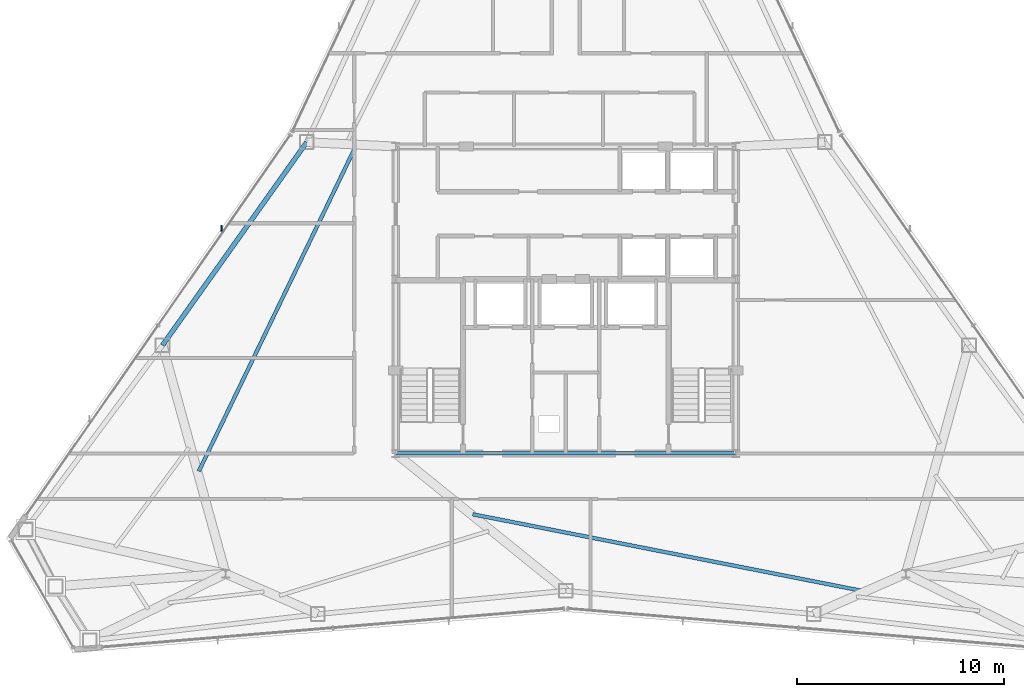
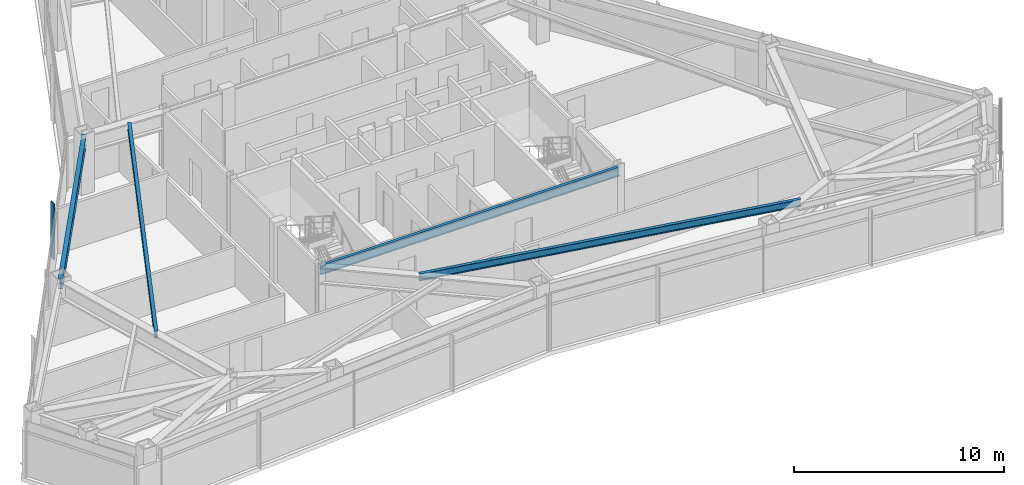
# One storey, part 4 of 12: 4 beams, 1 member, 1 element without a shape of its own.
"""IFC4 building model written with IfcOpenShell, lengths in metres."""

from ifc_helpers import new_model, si_unit, direction, frame, origin, origin_2d, place, context, subcontext, project, spatial, rectangle, i_section, extrude, source, transform, mapped, material, layer, layer_set, material_profile, profile_set, type_object, type_shapes, element, aggregate, save


model = new_model("IFC4")

# Units and contexts
model_context = context("Model", 3, precision=1e-05, world=origin(), true_north=direction((0.0, 1.0)))
body_context = subcontext(model_context, "Body", "Model", "MODEL_VIEW")
ifc_project = project(units=[si_unit("LENGTHUNIT", "METRE"), si_unit("AREAUNIT", "SQUARE_METRE"), si_unit("VOLUMEUNIT", "CUBIC_METRE"), si_unit("PLANEANGLEUNIT", "RADIAN"), si_unit("MASSUNIT", "GRAM", prefix="KILO")], contexts=[model_context])

# Site, building, storey
site_placement = place(None, origin())
site = spatial("IfcSite", under=ifc_project, at=site_placement, CompositionType="ELEMENT")
building_placement = place(site_placement, origin())
building = spatial("IfcBuilding", under=site, at=building_placement, Name="Varakhsha Concourse Tower", CompositionType="ELEMENT")
storey_placement = place(building_placement, frame((0.0, 0.0, 232.89990234375)))
storey = spatial("IfcBuildingStorey", under=building, at=storey_placement, Name="L66", CompositionType="ELEMENT", Elevation=232.89990234375)

# Beams
ifc_material_1 = material(Name="Structural Steel ASTM A992 Grade 50", Category="steel")
ifc_material_profile_1 = material_profile(ifc_material_1, i_section(OverallWidth=0.177978515625, OverallDepth=0.406982421875, WebThickness=0.008056640625, FlangeThickness=0.012939453125, at=origin_2d()), Name="W16X40")
ifc_profile_set_1 = profile_set([ifc_material_profile_1], Name="Structural Steel ASTM A992 Grade 50")
beam_type_1 = type_object("IfcBeamType", Name="BM-JST-W16X40", PredefinedType="JOIST", material=ifc_profile_set_1)
beam_1_placement = place(storey_placement, frame((29.864501953125, 31.19384765625, 3.046630859375), z_axis=(-0.434908583174, -0.90047461057, 0.0), x_axis=(0.90047461057, -0.434908583174, 0.0)))
element("IfcBeam", 1, at=beam_1_placement, inside=storey, type_object=beam_type_1, Name="BM-TJST-L66-05", PredefinedType="JOIST", context=body_context, shape_type="SweptSolid", body=[
    extrude(i_section(OverallWidth=0.177978515625, OverallDepth=0.406982421875, WebThickness=0.008056640625, FlangeThickness=0.012939453125, at=origin_2d()), origin(), (0.0, 0.0, 1.0), 17.37646484375),
])
beam_2_placement = place(storey_placement, frame((35.515869140625, 13.465087890625, 3.046630859375), z_axis=(0.981202714164, -0.192979879045, 0.0), x_axis=(0.192979879045, 0.981202714164, 0.0)))
element("IfcBeam", 2, at=beam_2_placement, inside=storey, type_object=beam_type_1, Name="BM-TJST-L66-11", PredefinedType="JOIST", context=body_context, shape_type="SweptSolid", body=[
    extrude(i_section(OverallWidth=0.177978515625, OverallDepth=0.406982421875, WebThickness=0.008056640625, FlangeThickness=0.012939453125, at=origin_2d()), origin(), (0.0, 0.0, 1.0), 19.182861328125),
])
ifc_material_profile_2 = material_profile(ifc_material_1, i_section(OverallWidth=0.1669921875, OverallDepth=0.534912109375, WebThickness=0.010009765625, FlangeThickness=0.01708984375, at=origin_2d()), Name="W21X57")
ifc_profile_set_2 = profile_set([ifc_material_profile_2], Name="Structural Steel ASTM A992 Grade 50")
beam_type_2 = type_object("IfcBeamType", Name="BM-RAD-W21X57", PredefinedType="BEAM", material=ifc_profile_set_2)
beam_3_placement = place(storey_placement, frame((31.800048828125, 16.39990234375, 2.982666015625), z_axis=(1.0, 0.0, 0.0), x_axis=(0.0, 1.0, 0.0)))
element("IfcBeam", 3, at=beam_3_placement, inside=storey, type_object=beam_type_2, Name="BM-TCORE-L66-CS", PredefinedType="BEAM", context=body_context, shape_type="SweptSolid", body=[
    extrude(i_section(OverallWidth=0.1669921875, OverallDepth=0.534912109375, WebThickness=0.010009765625, FlangeThickness=0.01708984375, at=origin_2d()), origin(), (0.0, 0.0, 1.0), 16.39990234375),
])
ifc_material_profile_3 = material_profile(ifc_material_1, i_section(OverallWidth=0.22900390625, OverallDepth=0.612060546875, WebThickness=0.011962890625, FlangeThickness=0.02001953125, at=origin_2d()), Name="W24X84")
ifc_profile_set_3 = profile_set([ifc_material_profile_3], Name="Structural Steel ASTM A992 Grade 50")
beam_type_3 = type_object("IfcBeamType", Name="BM-SPAN-W24X84", PredefinedType="SPANDREL", material=ifc_profile_set_3)
beam_4_placement = place(storey_placement, frame((27.510009765625, 31.4111328125, 2.944091796875), z_axis=(-0.579107968435, -0.815250857648, 0.0), x_axis=(0.815250857648, -0.579107968435, 0.0)))
element("IfcBeam", 4, at=beam_4_placement, inside=storey, type_object=beam_type_3, Name="BM-SPAN-L66-05", PredefinedType="SPANDREL", context=body_context, shape_type="SweptSolid", body=[
    extrude(i_section(OverallWidth=0.22900390625, OverallDepth=0.612060546875, WebThickness=0.011962890625, FlangeThickness=0.02001953125, at=origin_2d()), origin(), (0.0, 0.0, 1.0), 12.012451171875),
])

# Curtain wall, member
ifc_material_2 = material(Name="Anodised Bronze Architectural Aluminium AA 6063-T6", Category="aluminium")
ifc_layer = layer(ifc_material_2, 0.199951171875, Name="CW-SYS-05")
ifc_layer_set = layer_set([ifc_layer], Name="Anodised Bronze Architectural Aluminium AA 6063-T6")
curtain_wall_type = type_object("IfcCurtainWallType", Name="CW-SYS-05", PredefinedType="NOTDEFINED", material=ifc_layer_set)
curtain_wall_placement = place(storey_placement, origin())
curtain_wall = element("IfcCurtainWall", 5, at=curtain_wall_placement, inside=storey, type_object=curtain_wall_type, Name="L66 Crystal Curtain Wall F3", PredefinedType="NOTDEFINED")
ifc_material_profile_4 = material_profile(ifc_material_2, rectangle(XDim=0.054931640625, YDim=0.300048828125, at=origin_2d()), Name="FIN-BRZ-300")
ifc_profile_set_4 = profile_set([ifc_material_profile_4], Name="Anodised Bronze Architectural Aluminium AA 6063-T6")
member_type = type_object("IfcMemberType", Name="FIN-BRZ-300", PredefinedType="USERDEFINED", material=ifc_profile_set_4)
shared_shape = source(origin(), body_context, "Body", "SweptSolid", [
    extrude(rectangle(XDim=0.054931640625, YDim=0.300048828125, at=origin_2d()), origin(), (0.0, 0.0, 1.0), 3.25),
])
type_shapes(member_type, [shared_shape])
member_placement = place(storey_placement, frame((23.396240234375, 27.263671875, 0.0), z_axis=(0.0, 0.0, 1.0), x_axis=(1.0, 0.0, 0.0)))
member = element("IfcMember", 6, at=member_placement, type_object=member_type, Name="L66 Anodised Bronze Solar Fin F3-2", ObjectType="SOLAR FIN", PredefinedType="USERDEFINED", context=body_context, shape_type="MappedRepresentation", body=[
    mapped(shared_shape, transform((0.0, 0.0, 0.0), scale=1.0)),
])
aggregate(curtain_wall, [member])

save(model, "model.ifc")
